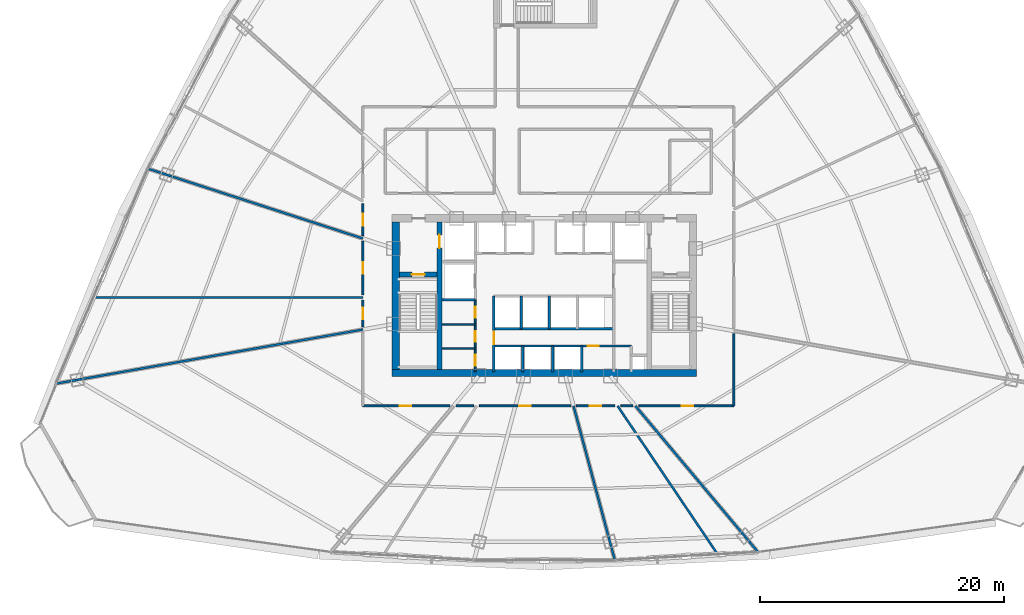
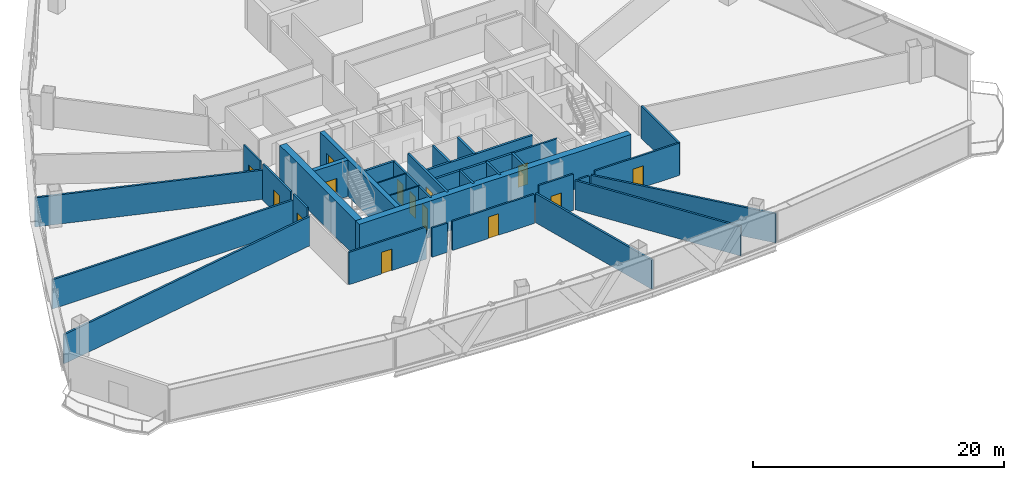
# One storey, part 29 of 36: 33 walls, 14 doors, 14 openings.
"""IFC4 building model written with IfcOpenShell, lengths in metres."""

from ifc_helpers import new_model, si_unit, direction, frame, frame_2d, origin, origin_with_axes, place, context, subcontext, project, spatial, rectangle, extrude, source, transform, mapped, material, layer, layer_set, type_object, element, fill, save


model = new_model("IFC4")

# Units and contexts
model_context = context("Model", 3, precision=1e-05, world=origin(), true_north=direction((0.0, 1.0)))
body_context = subcontext(model_context, "Body", "Model", "MODEL_VIEW")
ifc_project = project(units=[si_unit("LENGTHUNIT", "METRE"), si_unit("AREAUNIT", "SQUARE_METRE"), si_unit("VOLUMEUNIT", "CUBIC_METRE"), si_unit("PLANEANGLEUNIT", "RADIAN"), si_unit("MASSUNIT", "GRAM", prefix="KILO"), si_unit("THERMODYNAMICTEMPERATUREUNIT", "KELVIN"), si_unit("POWERUNIT", "WATT")], contexts=[model_context])

# Site, building, storey
site_placement = place(None, origin())
site = spatial("IfcSite", under=ifc_project, at=site_placement, CompositionType="ELEMENT")
building_placement = place(site_placement, origin())
building = spatial("IfcBuilding", under=site, at=building_placement, Name="Yunzhuo Pagoda Commons", CompositionType="ELEMENT")
storey_placement = place(building_placement, frame((0.0, 0.0, 103.97998046875)))
storey = spatial("IfcBuildingStorey", under=building, at=storey_placement, Name="L26", CompositionType="ELEMENT", Elevation=103.97998046875)

# Walls
ifc_material_1 = material(Name="Concrete C60", Category="concrete")
ifc_layer_1 = layer(ifc_material_1, 0.60009765625)
ifc_layer_set_1 = layer_set([ifc_layer_1], Name="Concrete C60")
wall_type_1 = type_object("IfcWallType", Name="W-C02 Mid Core Shear Wall 600", PredefinedType="SHEAR", material=ifc_layer_set_1)
wall_1_placement = place(storey_placement, frame((35.5, 27.5, 0.0), z_axis=(0.0, 0.0, 1.0), x_axis=(1.0, 0.0, 0.0)))
element("IfcWall", 1, at=wall_1_placement, inside=storey, type_object=wall_type_1, Name="L26 core shear wall S", PredefinedType="SHEAR", context=body_context, shape_type="SweptSolid", body=[
    extrude(rectangle(XDim=25.0, YDim=0.60009765625, at=frame_2d((12.5, 0.0))), origin(), (0.0, 0.0, 1.0), 3.5400390625),
])
wall_2_placement = place(storey_placement, frame((35.800048828125, 27.800048828125, 0.0), z_axis=(0.0, 0.0, 1.0), x_axis=(0.0, 1.0, 0.0)))
element("IfcWall", 2, at=wall_2_placement, inside=storey, type_object=wall_type_1, Name="L26 core shear wall W", PredefinedType="SHEAR", context=body_context, shape_type="SweptSolid", body=[
    extrude(rectangle(XDim=12.099853515625, YDim=0.60009765625, at=frame_2d((6.0498046875, 0.0))), origin(), (0.0, 0.0, 1.0), 3.5400390625),
])

# Wall, openings, doors
ifc_material_2 = material(Name="Gypsum plasterboard on acoustic stud")
ifc_layer_2 = layer(ifc_material_2, 0.159912109375)
ifc_layer_set_2 = layer_set([ifc_layer_2], Name="Gypsum plasterboard on acoustic stud")
wall_type_2 = type_object("IfcWallType", Name="W-COR1 Tower Rated Corridor Wall 160", PredefinedType="PARTITIONING", material=ifc_layer_set_2)
wall_3_placement = place(storey_placement, frame((42.320068359375, 27.60009765625, 0.0), z_axis=(0.0, 0.0, 1.0), x_axis=(0.0, 1.0, 0.0)))
wall_3 = element("IfcWall", 3, at=wall_3_placement, inside=storey, type_object=wall_type_2, Name="L26 interior wall IW-L26-CSWE", PredefinedType="PARTITIONING", context=body_context, shape_type="SweptSolid", body=[
    extrude(rectangle(XDim=5.89990234375, YDim=0.159912109375, at=frame_2d((2.949951171875, 0.0))), origin(), (0.0, 0.0, 1.0), 3.5400390625),
])
opening_1_placement = place(wall_3_placement, frame((0.5, 0.0, 0.0)))
opening_1 = element("IfcOpeningElement", 4, at=opening_1_placement, cuts=wall_3, Name="Opening D-03", PredefinedType="OPENING", context=body_context, shape_type="SweptSolid", body=[
    extrude(rectangle(XDim=0.89990234375, YDim=2.10009765625, at=frame_2d((0.449951171875, 1.050048828125))), frame((0.0, 0.08984375, 0.0), z_axis=(0.0, -1.0, 0.0), x_axis=(1.0, 0.0, 0.0)), (0.0, 0.0, 1.0), 0.179931640625),
])
opening_2_placement = place(wall_3_placement, frame((2.449951171875, 0.0, 0.0)))
opening_2 = element("IfcOpeningElement", 5, at=opening_2_placement, cuts=wall_3, Name="Opening D-03", PredefinedType="OPENING", context=body_context, shape_type="SweptSolid", body=[
    extrude(rectangle(XDim=0.89990234375, YDim=2.10009765625, at=frame_2d((0.449951171875, 1.050048828125))), frame((0.0, 0.08984375, 0.0), z_axis=(0.0, -1.0, 0.0), x_axis=(1.0, 0.0, 0.0)), (0.0, 0.0, 1.0), 0.179931640625),
])
opening_3_placement = place(wall_3_placement, frame((4.419921875, 0.0, 0.0)))
opening_3 = element("IfcOpeningElement", 6, at=opening_3_placement, cuts=wall_3, Name="Opening D-11", PredefinedType="OPENING", context=body_context, shape_type="SweptSolid", body=[
    extrude(rectangle(XDim=0.93994140625, YDim=2.10009765625, at=frame_2d((0.469970703125, 1.050048828125))), frame((0.0, 0.08984375, 0.0), z_axis=(0.0, -1.0, 0.0), x_axis=(1.0, 0.0, 0.0)), (0.0, 0.0, 1.0), 0.179931640625),
])
ifc_material_3 = material(Name="Galvanized fire-resisting metal leaf")
door_type_1 = type_object("IfcDoorType", Name="D-03 Core Service Fire Door 900x2100", OperationType="NOTDEFINED", PredefinedType="DOOR", material=ifc_material_3)
shared_shape_1 = source(origin(), body_context, "Body", "SweptSolid", [
    extrude(rectangle(XDim=0.89990234375, YDim=2.10009765625, at=frame_2d((0.449951171875, 1.050048828125))), frame((0.0, 0.02490234375, 0.0), z_axis=(0.0, -1.0, 0.0), x_axis=(1.0, 0.0, 0.0)), (0.0, 0.0, 1.0), 0.050048828125),
])
door_1_placement = place(opening_1_placement, origin_with_axes())
door_1 = element("IfcDoor", 7, at=door_1_placement, inside=storey, type_object=door_type_1, Name="L26 switch door", OperationType="SINGLE_SWING_RIGHT", OverallHeight=2.10009765625, OverallWidth=0.89990234375, PredefinedType="DOOR", context=body_context, shape_type="MappedRepresentation", body=[
    mapped(shared_shape_1, transform((0.0, 0.0, 0.0), scale=1.0)),
])
fill(opening_1, door_1)
door_2_placement = place(opening_2_placement, origin_with_axes())
door_2 = element("IfcDoor", 8, at=door_2_placement, inside=storey, type_object=door_type_1, Name="L26 cleaner door", OperationType="SINGLE_SWING_RIGHT", OverallHeight=2.10009765625, OverallWidth=0.89990234375, PredefinedType="DOOR", context=body_context, shape_type="MappedRepresentation", body=[
    mapped(shared_shape_1, transform((0.0, 0.0, 0.0), scale=1.0)),
])
fill(opening_2, door_2)
door_type_2 = type_object("IfcDoorType", Name="D-11 Accessible Washroom Fire Door 940x2100", OperationType="NOTDEFINED", PredefinedType="DOOR", material=ifc_material_3)
shared_shape_2 = source(origin(), body_context, "Body", "SweptSolid", [
    extrude(rectangle(XDim=0.93994140625, YDim=2.10009765625, at=frame_2d((0.469970703125, 1.050048828125))), frame((0.0, 0.02490234375, 0.0), z_axis=(0.0, -1.0, 0.0), x_axis=(1.0, 0.0, 0.0)), (0.0, 0.0, 1.0), 0.050048828125),
])
door_3_placement = place(opening_3_placement, origin_with_axes())
door_3 = element("IfcDoor", 9, at=door_3_placement, inside=storey, type_object=door_type_2, Name="L26 core WC door", OperationType="SINGLE_SWING_LEFT", OverallHeight=2.10009765625, OverallWidth=0.93994140625, PredefinedType="DOOR", context=body_context, shape_type="MappedRepresentation", body=[
    mapped(shared_shape_2, transform((0.0, 0.0, 0.0), scale=1.0)),
])
fill(opening_3, door_3)

# Wall, opening, door
wall_4_placement = place(storey_placement, frame((51.050048828125, 29.719970703125, 0.0), z_axis=(0.0, 0.0, 1.0), x_axis=(1.0, 0.0, 0.0)))
wall_4 = element("IfcWall", 10, at=wall_4_placement, inside=storey, type_object=wall_type_2, Name="L26 interior wall IW-L26-CSES", PredefinedType="PARTITIONING", context=body_context, shape_type="SweptSolid", body=[
    extrude(rectangle(XDim=4.070068359375, YDim=0.159912109375, at=frame_2d((2.03515625, 0.0))), origin(), (0.0, 0.0, 1.0), 3.5400390625),
])
opening_4_placement = place(wall_4_placement, frame((0.5, 0.0, 0.0)))
opening_4 = element("IfcOpeningElement", 11, at=opening_4_placement, cuts=wall_4, Name="Opening D-03", PredefinedType="OPENING", context=body_context, shape_type="SweptSolid", body=[
    extrude(rectangle(XDim=0.89990234375, YDim=2.10009765625, at=frame_2d((0.449951171875, 1.050048828125))), frame((0.0, 0.08984375, 0.0), z_axis=(0.0, -1.0, 0.0), x_axis=(1.0, 0.0, 0.0)), (0.0, 0.0, 1.0), 0.179931640625),
])
door_4_placement = place(opening_4_placement, origin_with_axes())
door_4 = element("IfcDoor", 12, at=door_4_placement, inside=storey, type_object=door_type_1, Name="L26 core pantry door", OperationType="SINGLE_SWING_RIGHT", OverallHeight=2.10009765625, OverallWidth=0.89990234375, PredefinedType="DOOR", context=body_context, shape_type="MappedRepresentation", body=[
    mapped(shared_shape_1, transform((0.0, 0.0, 0.0), scale=1.0)),
])
fill(opening_4, door_4)

wall_5_placement = place(storey_placement, frame((33.10009765625, 31.29248046875, 0.0), z_axis=(0.0, 0.0, 1.0), x_axis=(0.0, 1.0, 0.0)))
wall_5 = element("IfcWall", 13, at=wall_5_placement, inside=storey, type_object=wall_type_2, Name="L26 interior wall IW-L26-CWL02", PredefinedType="PARTITIONING", context=body_context, shape_type="SweptSolid", body=[
    extrude(rectangle(XDim=2.1875, YDim=0.159912109375, at=frame_2d((1.09375, 0.0))), origin(), (0.0, 0.0, 1.0), 3.5400390625),
])
opening_5_placement = place(wall_5_placement, frame((0.618896484375, 0.0, 0.0)))
opening_5 = element("IfcOpeningElement", 14, at=opening_5_placement, cuts=wall_5, Name="Opening D-06", PredefinedType="OPENING", context=body_context, shape_type="SweptSolid", body=[
    extrude(rectangle(XDim=0.949951171875, YDim=2.10009765625, at=frame_2d((0.47509765625, 1.050048828125))), frame((0.0, 0.08984375, 0.0), z_axis=(0.0, -1.0, 0.0), x_axis=(1.0, 0.0, 0.0)), (0.0, 0.0, 1.0), 0.179931640625),
])
door_type_3 = type_object("IfcDoorType", Name="D-06 Co-Living Suite Entrance Fire Door 950x2100", OperationType="NOTDEFINED", PredefinedType="DOOR", material=ifc_material_3)
shared_shape_3 = source(origin(), body_context, "Body", "SweptSolid", [
    extrude(rectangle(XDim=0.949951171875, YDim=2.10009765625, at=frame_2d((0.47509765625, 1.050048828125))), frame((0.0, 0.02490234375, 0.0), z_axis=(0.0, -1.0, 0.0), x_axis=(1.0, 0.0, 0.0)), (0.0, 0.0, 1.0), 0.050048828125),
])
door_5_placement = place(opening_5_placement, origin_with_axes())
door_5 = element("IfcDoor", 15, at=door_5_placement, inside=storey, type_object=door_type_3, Name="L26 unit 08 entrance door", OperationType="SINGLE_SWING_RIGHT", OverallHeight=2.10009765625, OverallWidth=0.949951171875, PredefinedType="DOOR", context=body_context, shape_type="MappedRepresentation", body=[
    mapped(shared_shape_3, transform((0.0, 0.0, 0.0), scale=1.0)),
])
fill(opening_5, door_5)

wall_6_placement = place(storey_placement, frame((33.10009765625, 33.919921875, 0.0), z_axis=(0.0, 0.0, 1.0), x_axis=(0.0, 1.0, 0.0)))
wall_6 = element("IfcWall", 16, at=wall_6_placement, inside=storey, type_object=wall_type_2, Name="L26 interior wall IW-L26-CWL03", PredefinedType="PARTITIONING", context=body_context, shape_type="SweptSolid", body=[
    extrude(rectangle(XDim=4.401611328125, YDim=0.159912109375, at=frame_2d((2.20068359375, 0.0))), origin(), (0.0, 0.0, 1.0), 3.5400390625),
])
opening_6_placement = place(wall_6_placement, frame((1.7255859375, 0.0, 0.0)))
opening_6 = element("IfcOpeningElement", 17, at=opening_6_placement, cuts=wall_6, Name="Opening D-06", PredefinedType="OPENING", context=body_context, shape_type="SweptSolid", body=[
    extrude(rectangle(XDim=0.949951171875, YDim=2.10009765625, at=frame_2d((0.47509765625, 1.050048828125))), frame((0.0, 0.08984375, 0.0), z_axis=(0.0, -1.0, 0.0), x_axis=(1.0, 0.0, 0.0)), (0.0, 0.0, 1.0), 0.179931640625),
])
door_6_placement = place(opening_6_placement, origin_with_axes())
door_6 = element("IfcDoor", 18, at=door_6_placement, inside=storey, type_object=door_type_3, Name="L26 unit 07 entrance door", OperationType="SINGLE_SWING_LEFT", OverallHeight=2.10009765625, OverallWidth=0.949951171875, PredefinedType="DOOR", context=body_context, shape_type="MappedRepresentation", body=[
    mapped(shared_shape_3, transform((0.0, 0.0, 0.0), scale=1.0)),
])
fill(opening_6, door_6)

wall_7_placement = place(storey_placement, frame((33.10009765625, 38.772705078125, 0.0), z_axis=(0.0, 0.0, 1.0), x_axis=(0.0, 1.0, 0.0)))
wall_7 = element("IfcWall", 19, at=wall_7_placement, inside=storey, type_object=wall_type_2, Name="L26 interior wall IW-L26-CWL04", PredefinedType="PARTITIONING", context=body_context, shape_type="SweptSolid", body=[
    extrude(rectangle(XDim=2.6298828125, YDim=0.159912109375, at=frame_2d((1.31494140625, 0.0))), origin(), (0.0, 0.0, 1.0), 3.5400390625),
])
opening_7_placement = place(wall_7_placement, frame((0.834228515625, 0.0, 0.0)))
opening_7 = element("IfcOpeningElement", 20, at=opening_7_placement, cuts=wall_7, Name="Opening D-06", PredefinedType="OPENING", context=body_context, shape_type="SweptSolid", body=[
    extrude(rectangle(XDim=0.949951171875, YDim=2.10009765625, at=frame_2d((0.47509765625, 1.050048828125))), frame((0.0, 0.08984375, 0.0), z_axis=(0.0, -1.0, 0.0), x_axis=(1.0, 0.0, 0.0)), (0.0, 0.0, 1.0), 0.179931640625),
])
door_7_placement = place(opening_7_placement, origin_with_axes())
door_7 = element("IfcDoor", 21, at=door_7_placement, inside=storey, type_object=door_type_3, Name="L26 unit 06 entrance door", OperationType="SINGLE_SWING_RIGHT", OverallHeight=2.10009765625, OverallWidth=0.949951171875, PredefinedType="DOOR", context=body_context, shape_type="MappedRepresentation", body=[
    mapped(shared_shape_3, transform((0.0, 0.0, 0.0), scale=1.0)),
])
fill(opening_7, door_7)

# Wall
wall_8_placement = place(storey_placement, frame((63.550048828125, 30.734619140625, 0.0), z_axis=(0.0, 0.0, 1.0), x_axis=(0.0, -1.0, 0.0)))
element("IfcWall", 22, at=wall_8_placement, inside=storey, type_object=wall_type_2, Name="L26 interior wall IW-L26-CWL15", PredefinedType="PARTITIONING", context=body_context, shape_type="SweptSolid", body=[
    extrude(rectangle(XDim=5.9345703125, YDim=0.159912109375, at=frame_2d((2.96728515625, 0.0))), origin(), (0.0, 0.0, 1.0), 3.14013671875),
])

# Wall, opening, door
wall_9_placement = place(storey_placement, frame((63.550048828125, 24.800048828125, 0.0), z_axis=(0.0, 0.0, 1.0), x_axis=(-1.0, 0.0, 0.0)))
wall_9 = element("IfcWall", 23, at=wall_9_placement, inside=storey, type_object=wall_type_2, Name="L26 interior wall IW-L26-CWL16", PredefinedType="PARTITIONING", context=body_context, shape_type="SweptSolid", body=[
    extrude(rectangle(XDim=7.794921875, YDim=0.159912109375, at=frame_2d((3.8974609375, 0.0))), origin(), (0.0, 0.0, 1.0), 3.14013671875),
])
opening_8_placement = place(wall_9_placement, frame((3.3359375, 0.0, 0.0)))
opening_8 = element("IfcOpeningElement", 24, at=opening_8_placement, cuts=wall_9, Name="Opening D-06", PredefinedType="OPENING", context=body_context, shape_type="SweptSolid", body=[
    extrude(rectangle(XDim=0.949951171875, YDim=2.10009765625, at=frame_2d((0.47509765625, 1.050048828125))), frame((0.0, 0.08984375, 0.0), z_axis=(0.0, -1.0, 0.0), x_axis=(1.0, 0.0, 0.0)), (0.0, 0.0, 1.0), 0.179931640625),
])
door_8_placement = place(opening_8_placement, origin_with_axes())
door_8 = element("IfcDoor", 25, at=door_8_placement, inside=storey, type_object=door_type_3, Name="L26 unit 14 entrance door", OperationType="SINGLE_SWING_RIGHT", OverallHeight=2.10009765625, OverallWidth=0.949951171875, PredefinedType="DOOR", context=body_context, shape_type="MappedRepresentation", body=[
    mapped(shared_shape_3, transform((0.0, 0.0, 0.0), scale=1.0)),
])
fill(opening_8, door_8)

# Wall
wall_10_placement = place(storey_placement, frame((55.248046875, 24.800048828125, 0.0), z_axis=(0.0, 0.0, 1.0), x_axis=(-1.0, 0.0, 0.0)))
element("IfcWall", 26, at=wall_10_placement, inside=storey, type_object=wall_type_2, Name="L26 interior wall IW-L26-CWL17", PredefinedType="PARTITIONING", context=body_context, shape_type="SweptSolid", body=[
    extrude(rectangle(XDim=0.9794921875, YDim=0.159912109375, at=frame_2d((0.48974609375, 0.0))), origin(), (0.0, 0.0, 1.0), 2.840087890625),
])

# Wall, opening, door
wall_11_placement = place(storey_placement, frame((53.783203125, 24.800048828125, 0.0), z_axis=(0.0, 0.0, 1.0), x_axis=(-1.0, 0.0, 0.0)))
wall_11 = element("IfcWall", 27, at=wall_11_placement, inside=storey, type_object=wall_type_2, Name="L26 interior wall IW-L26-CWL18", PredefinedType="PARTITIONING", context=body_context, shape_type="SweptSolid", body=[
    extrude(rectangle(XDim=3.170654296875, YDim=0.159912109375, at=frame_2d((1.58544921875, 0.0))), origin(), (0.0, 0.0, 1.0), 3.5400390625),
])
opening_9_placement = place(wall_11_placement, frame((1.1142578125, 0.0, 0.0)))
opening_9 = element("IfcOpeningElement", 28, at=opening_9_placement, cuts=wall_11, Name="Opening D-06", PredefinedType="OPENING", context=body_context, shape_type="SweptSolid", body=[
    extrude(rectangle(XDim=0.949951171875, YDim=2.10009765625, at=frame_2d((0.47509765625, 1.050048828125))), frame((0.0, 0.08984375, 0.0), z_axis=(0.0, -1.0, 0.0), x_axis=(1.0, 0.0, 0.0)), (0.0, 0.0, 1.0), 0.179931640625),
])
door_9_placement = place(opening_9_placement, origin_with_axes())
door_9 = element("IfcDoor", 29, at=door_9_placement, inside=storey, type_object=door_type_3, Name="L26 unit 12 entrance door", OperationType="SINGLE_SWING_RIGHT", OverallHeight=2.10009765625, OverallWidth=0.949951171875, PredefinedType="DOOR", context=body_context, shape_type="MappedRepresentation", body=[
    mapped(shared_shape_3, transform((0.0, 0.0, 0.0), scale=1.0)),
])
fill(opening_9, door_9)

wall_12_placement = place(storey_placement, frame((50.164794921875, 24.800048828125, 0.0), z_axis=(0.0, 0.0, 1.0), x_axis=(-1.0, 0.0, 0.0)))
wall_12 = element("IfcWall", 30, at=wall_12_placement, inside=storey, type_object=wall_type_2, Name="L26 interior wall IW-L26-CWL19", PredefinedType="PARTITIONING", context=body_context, shape_type="SweptSolid", body=[
    extrude(rectangle(XDim=7.50634765625, YDim=0.159912109375, at=frame_2d((3.753173828125, 0.0))), origin(), (0.0, 0.0, 1.0), 2.840087890625),
])
opening_10_placement = place(wall_12_placement, frame((3.2783203125, 0.0, 0.0)))
opening_10 = element("IfcOpeningElement", 31, at=opening_10_placement, cuts=wall_12, Name="Opening D-06", PredefinedType="OPENING", context=body_context, shape_type="SweptSolid", body=[
    extrude(rectangle(XDim=0.949951171875, YDim=2.10009765625, at=frame_2d((0.47509765625, 1.050048828125))), frame((0.0, 0.08984375, 0.0), z_axis=(0.0, -1.0, 0.0), x_axis=(1.0, 0.0, 0.0)), (0.0, 0.0, 1.0), 0.179931640625),
])
door_10_placement = place(opening_10_placement, origin_with_axes())
door_10 = element("IfcDoor", 32, at=door_10_placement, inside=storey, type_object=door_type_3, Name="L26 Academic Reading Commons 2 door", OperationType="SINGLE_SWING_LEFT", OverallHeight=2.10009765625, OverallWidth=0.949951171875, PredefinedType="DOOR", context=body_context, shape_type="MappedRepresentation", body=[
    mapped(shared_shape_3, transform((0.0, 0.0, 0.0), scale=1.0)),
])
fill(opening_10, door_10)

# Wall
wall_13_placement = place(storey_placement, frame((42.17919921875, 24.800048828125, 0.0), z_axis=(0.0, 0.0, 1.0), x_axis=(-1.0, 0.0, 0.0)))
element("IfcWall", 33, at=wall_13_placement, inside=storey, type_object=wall_type_2, Name="L26 interior wall IW-L26-CWL20", PredefinedType="PARTITIONING", context=body_context, shape_type="SweptSolid", body=[
    extrude(rectangle(XDim=1.42724609375, YDim=0.159912109375, at=frame_2d((0.713623046875, 0.0))), origin(), (0.0, 0.0, 1.0), 2.840087890625),
])

# Wall, opening, door
wall_14_placement = place(storey_placement, frame((40.244873046875, 24.800048828125, 0.0), z_axis=(0.0, 0.0, 1.0), x_axis=(-1.0, 0.0, 0.0)))
wall_14 = element("IfcWall", 34, at=wall_14_placement, inside=storey, type_object=wall_type_2, Name="L26 interior wall IW-L26-CWL21", PredefinedType="PARTITIONING", context=body_context, shape_type="SweptSolid", body=[
    extrude(rectangle(XDim=7.144775390625, YDim=0.159912109375, at=frame_2d((3.572265625, 0.0))), origin(), (0.0, 0.0, 1.0), 3.14013671875),
])
opening_11_placement = place(wall_14_placement, frame((3.183837890625, 0.0, 0.0)))
opening_11 = element("IfcOpeningElement", 35, at=opening_11_placement, cuts=wall_14, Name="Opening D-06", PredefinedType="OPENING", context=body_context, shape_type="SweptSolid", body=[
    extrude(rectangle(XDim=0.949951171875, YDim=2.10009765625, at=frame_2d((0.47509765625, 1.050048828125))), frame((0.0, 0.08984375, 0.0), z_axis=(0.0, -1.0, 0.0), x_axis=(1.0, 0.0, 0.0)), (0.0, 0.0, 1.0), 0.179931640625),
])
door_11_placement = place(opening_11_placement, origin_with_axes())
door_11 = element("IfcDoor", 36, at=door_11_placement, inside=storey, type_object=door_type_3, Name="L26 unit 09 entrance door", OperationType="SINGLE_SWING_LEFT", OverallHeight=2.10009765625, OverallWidth=0.949951171875, PredefinedType="DOOR", context=body_context, shape_type="MappedRepresentation", body=[
    mapped(shared_shape_3, transform((0.0, 0.0, 0.0), scale=1.0)),
])
fill(opening_11, door_11)

# Walls
ifc_layer_3 = layer(ifc_material_2, 0.1201171875)
ifc_layer_set_3 = layer_set([ifc_layer_3], Name="Gypsum plasterboard on acoustic stud")
wall_type_3 = type_object("IfcWallType", Name="W-PRT1 Suite & Bathroom Partition 120", PredefinedType="PARTITIONING", material=ifc_layer_set_3)
for number, where, z_axis, x_axis, name in (
    (37, (39.60009765625, 29.5, 0.0), (0.0, 0.0, 1.0), (1.0, 0.0, 0.0), "L26 interior wall IW-L26-CC1"),
    (38, (39.60009765625, 31.5, 0.0), (0.0, 0.0, 1.0), (1.0, 0.0, 0.0), "L26 interior wall IW-L26-CC2"),
):
    element("IfcWall", number, at=place(storey_placement, frame(where, z_axis=z_axis, x_axis=x_axis)), inside=storey, type_object=wall_type_3, Name=name, PredefinedType="PARTITIONING", context=body_context, shape_type="SweptSolid", body=[
        extrude(rectangle(XDim=2.719970703125, YDim=0.1201171875, at=frame_2d((1.35986328125, 0.0))), origin(), (0.0, 0.0, 1.0), 3.5400390625),
    ])
ifc_layer_4 = layer(ifc_material_2, 0.179931640625)
ifc_layer_set_4 = layer_set([ifc_layer_4], Name="Gypsum plasterboard on acoustic stud")
wall_type_4 = type_object("IfcWallType", Name="W-PRT2 Acoustic Unit Demising Wall 180", PredefinedType="PARTITIONING", material=ifc_layer_set_4)
wall_15_placement = place(storey_placement, frame((33.10009765625, 38.541259765625, 0.0), z_axis=(0.0, 0.0, 1.0), x_axis=(-0.951054685131, 0.309022630063, 0.0)))
element("IfcWall", 39, at=wall_15_placement, inside=storey, type_object=wall_type_4, Name="L26 interior wall IW-L26-RAD06", PredefinedType="PARTITIONING", context=body_context, shape_type="SweptSolid", body=[
    extrude(rectangle(XDim=18.534423828125, YDim=0.179931640625, at=frame_2d((9.26708984375, 0.0))), origin(), (0.0, 0.0, 1.0), 2.840087890625),
])
wall_16_placement = place(storey_placement, frame((33.10009765625, 33.699951171875, 0.0), z_axis=(0.0, 0.0, 1.0), x_axis=(-1.0, 0.0, 0.0)))
element("IfcWall", 40, at=wall_16_placement, inside=storey, type_object=wall_type_4, Name="L26 interior wall IW-L26-RAD07", PredefinedType="PARTITIONING", context=body_context, shape_type="SweptSolid", body=[
    extrude(rectangle(XDim=22.14501953125, YDim=0.179931640625, at=frame_2d((11.072509765625, 0.0))), origin(), (0.0, 0.0, 1.0), 2.840087890625),
])
wall_17_placement = place(storey_placement, frame((33.10009765625, 31.07275390625, 0.0), z_axis=(0.0, 0.0, 1.0), x_axis=(-0.984807595402, -0.173649071515, 0.0)))
element("IfcWall", 41, at=wall_17_placement, inside=storey, type_object=wall_type_4, Name="L26 interior wall IW-L26-RAD08", PredefinedType="PARTITIONING", context=body_context, shape_type="SweptSolid", body=[
    extrude(rectangle(XDim=25.552978515625, YDim=0.179931640625, at=frame_2d((12.7763671875, 0.0))), origin(), (0.0, 0.0, 1.0), 2.840087890625),
])
wall_18_placement = place(storey_placement, frame((50.384765625, 24.800048828125, 0.0), z_axis=(0.0, 0.0, 1.0), x_axis=(0.258820732199, -0.965925374231, 0.0)))
element("IfcWall", 42, at=wall_18_placement, inside=storey, type_object=wall_type_4, Name="L26 interior wall IW-L26-RAD11", PredefinedType="PARTITIONING", context=body_context, shape_type="SweptSolid", body=[
    extrude(rectangle(XDim=13.119140625, YDim=0.179931640625, at=frame_2d((6.5595703125, 0.0))), origin(), (0.0, 0.0, 1.0), 2.840087890625),
])
wall_19_placement = place(storey_placement, frame((54.003173828125, 24.800048828125, 0.0), z_axis=(0.0, 0.0, 1.0), x_axis=(0.559194755778, -0.829036323155, 0.0)))
element("IfcWall", 43, at=wall_19_placement, inside=storey, type_object=wall_type_4, Name="L26 interior wall IW-L26-RAD12", PredefinedType="PARTITIONING", context=body_context, shape_type="SweptSolid", body=[
    extrude(rectangle(XDim=14.702392578125, YDim=0.179931640625, at=frame_2d((7.35107421875, 0.0))), origin(), (0.0, 0.0, 1.0), 2.840087890625),
])
wall_20_placement = place(storey_placement, frame((55.468017578125, 24.800048828125, 0.0), z_axis=(0.0, 0.0, 1.0), x_axis=(0.642779306778, -0.76605141001, 0.0)))
element("IfcWall", 44, at=wall_20_placement, inside=storey, type_object=wall_type_4, Name="L26 interior wall IW-L26-RAD13", PredefinedType="PARTITIONING", context=body_context, shape_type="SweptSolid", body=[
    extrude(rectangle(XDim=15.663818359375, YDim=0.179931640625, at=frame_2d((7.83203125, 0.0))), origin(), (0.0, 0.0, 1.0), 2.840087890625),
])

# Wall, opening, door
ifc_layer_5 = layer(ifc_material_1, 0.39990234375)
ifc_layer_set_5 = layer_set([ifc_layer_5], Name="Concrete C60")
wall_type_5 = type_object("IfcWallType", Name="W-S01 Internal Core Shear Web 400", PredefinedType="SHEAR", material=ifc_layer_set_5)
wall_21_placement = place(storey_placement, frame((39.39990234375, 27.800048828125, 0.0), z_axis=(0.0, 0.0, 1.0), x_axis=(0.0, 1.0, 0.0)))
wall_21 = element("IfcWall", 45, at=wall_21_placement, inside=storey, type_object=wall_type_5, Name="L26 core shear wall WEBW", PredefinedType="SHEAR", context=body_context, shape_type="SweptSolid", body=[
    extrude(rectangle(XDim=12.099853515625, YDim=0.39990234375, at=frame_2d((6.0498046875, 0.0))), origin(), (0.0, 0.0, 1.0), 3.5400390625),
])
opening_12_placement = place(wall_21_placement, frame((9.949951171875, 0.0, 0.0)))
opening_12 = element("IfcOpeningElement", 46, at=opening_12_placement, cuts=wall_21, Name="Opening LD-01", PredefinedType="OPENING", context=body_context, shape_type="SweptSolid", body=[
    extrude(rectangle(XDim=1.10009765625, YDim=2.10009765625, at=frame_2d((0.550048828125, 1.050048828125))), frame((0.0, 0.2099609375, 0.0), z_axis=(0.0, -1.0, 0.0), x_axis=(1.0, 0.0, 0.0)), (0.0, 0.0, 1.0), 0.419921875),
])
door_type_4 = type_object("IfcDoorType", Name="LD-01 Firefighting Lift Landing Door 1100x2100", OperationType="DOUBLE_DOOR_SLIDING", PredefinedType="DOOR", material=ifc_material_3)
shared_shape_4 = source(origin(), body_context, "Body", "SweptSolid", [
    extrude(rectangle(XDim=1.10009765625, YDim=2.10009765625, at=frame_2d((0.550048828125, 1.050048828125))), frame((0.0, 0.02490234375, 0.0), z_axis=(0.0, -1.0, 0.0), x_axis=(1.0, 0.0, 0.0)), (0.0, 0.0, 1.0), 0.050048828125),
])
door_12_placement = place(opening_12_placement, frame((1.10009765625, 0.0, 0.0), z_axis=(0.0, 0.0, 1.0), x_axis=(-1.0, 0.0, 0.0)))
door_12 = element("IfcDoor", 47, at=door_12_placement, inside=storey, type_object=door_type_4, Name="L26 Firefighting lift FL-1 landing door", OperationType="DOUBLE_DOOR_SLIDING", OverallHeight=2.10009765625, OverallWidth=1.10009765625, PredefinedType="DOOR", context=body_context, shape_type="MappedRepresentation", body=[
    mapped(shared_shape_4, transform((0.0, 0.0, 0.0), scale=1.0)),
])
fill(opening_12, door_12)

wall_22_placement = place(storey_placement, frame((36.10009765625, 35.60009765625, 0.0), z_axis=(0.0, 0.0, 1.0), x_axis=(1.0, 0.0, 0.0)))
wall_22 = element("IfcWall", 48, at=wall_22_placement, inside=storey, type_object=wall_type_5, Name="L26 core shear wall STW", PredefinedType="SHEAR", context=body_context, shape_type="SweptSolid", body=[
    extrude(rectangle(XDim=3.099853515625, YDim=0.39990234375, at=frame_2d((1.5498046875, 0.0))), origin(), (0.0, 0.0, 1.0), 3.5400390625),
])
opening_13_placement = place(wall_22_placement, frame((1.02001953125, 0.0, 0.0)))
opening_13 = element("IfcOpeningElement", 49, at=opening_13_placement, cuts=wall_22, Name="Opening D-01", PredefinedType="OPENING", context=body_context, shape_type="SweptSolid", body=[
    extrude(rectangle(XDim=1.050048828125, YDim=2.10009765625, at=frame_2d((0.52490234375, 1.050048828125))), frame((0.0, 0.2099609375, 0.0), z_axis=(0.0, -1.0, 0.0), x_axis=(1.0, 0.0, 0.0)), (0.0, 0.0, 1.0), 0.419921875),
])
door_type_5 = type_object("IfcDoorType", Name="D-01 Smokeproof Stair Fire Door 1050x2100", OperationType="NOTDEFINED", PredefinedType="DOOR", material=ifc_material_3)
shared_shape_5 = source(origin(), body_context, "Body", "SweptSolid", [
    extrude(rectangle(XDim=1.050048828125, YDim=2.10009765625, at=frame_2d((0.52490234375, 1.050048828125))), frame((0.0, 0.02490234375, 0.0), z_axis=(0.0, -1.0, 0.0), x_axis=(1.0, 0.0, 0.0)), (0.0, 0.0, 1.0), 0.050048828125),
])
door_13_placement = place(opening_13_placement, frame((1.050048828125, 0.0, 0.0), z_axis=(0.0, 0.0, 1.0), x_axis=(-1.0, 0.0, 0.0)))
door_13 = element("IfcDoor", 50, at=door_13_placement, inside=storey, type_object=door_type_5, Name="L26 Stair ST1 fire door", OperationType="SINGLE_SWING_LEFT", OverallHeight=2.10009765625, OverallWidth=1.050048828125, PredefinedType="DOOR", context=body_context, shape_type="MappedRepresentation", body=[
    mapped(shared_shape_5, transform((0.0, 0.0, 0.0), scale=1.0)),
])
fill(opening_13, door_13)

# Wall
ifc_material_4 = material(Name="Concrete C40", Category="concrete")
ifc_layer_6 = layer(ifc_material_4, 0.199951171875)
ifc_layer_set_6 = layer_set([ifc_layer_6], Name="Concrete C40")
wall_type_6 = type_object("IfcWallType", Name="W-SHF Shaft & Stair Enclosure Wall 200", PredefinedType="SOLIDWALL", material=ifc_layer_set_6)
wall_23_placement = place(storey_placement, frame((39.60009765625, 33.5, 0.0), z_axis=(0.0, 0.0, 1.0), x_axis=(1.0, 0.0, 0.0)))
element("IfcWall", 51, at=wall_23_placement, inside=storey, type_object=wall_type_6, Name="L26 interior wall IW-L26-SL1S", PredefinedType="SOLIDWALL", context=body_context, shape_type="SweptSolid", body=[
    extrude(rectangle(XDim=2.719970703125, YDim=0.199951171875, at=frame_2d((1.35986328125, 0.0))), origin(), (0.0, 0.0, 1.0), 3.5400390625),
])

# Wall, opening, door
wall_24_placement = place(storey_placement, frame((43.85009765625, 27.60009765625, 0.0), z_axis=(0.0, 0.0, 1.0), x_axis=(0.0, 1.0, 0.0)))
wall_24 = element("IfcWall", 52, at=wall_24_placement, inside=storey, type_object=wall_type_6, Name="L26 interior wall IW-L26-PLMW", PredefinedType="SOLIDWALL", context=body_context, shape_type="SweptSolid", body=[
    extrude(rectangle(XDim=6.219970703125, YDim=0.199951171875, at=frame_2d((3.10986328125, 0.0))), origin(), (0.0, 0.0, 1.0), 3.5400390625),
])
opening_14_placement = place(wall_24_placement, frame((2.25, 0.0, 0.0)))
opening_14 = element("IfcOpeningElement", 53, at=opening_14_placement, cuts=wall_24, Name="Opening D-02", PredefinedType="OPENING", context=body_context, shape_type="SweptSolid", body=[
    extrude(rectangle(XDim=1.050048828125, YDim=2.10009765625, at=frame_2d((0.52490234375, 1.050048828125))), frame((0.0, 0.10986328125, 0.0), z_axis=(0.0, -1.0, 0.0), x_axis=(1.0, 0.0, 0.0)), (0.0, 0.0, 1.0), 0.219970703125),
])
door_type_6 = type_object("IfcDoorType", Name="D-02 Firefighting Lobby & Refuge Fire Door 1050x2100", OperationType="NOTDEFINED", PredefinedType="DOOR", material=ifc_material_3)
door_14_placement = place(opening_14_placement, frame((1.050048828125, 0.0, 0.0), z_axis=(0.0, 0.0, 1.0), x_axis=(-1.0, 0.0, 0.0)))
door_14 = element("IfcDoor", 54, at=door_14_placement, inside=storey, type_object=door_type_6, Name="L26 High-bank hall west door", OperationType="SINGLE_SWING_LEFT", OverallHeight=2.10009765625, OverallWidth=1.050048828125, PredefinedType="DOOR", context=body_context, shape_type="MappedRepresentation", body=[
    mapped(shared_shape_5, transform((0.0, 0.0, 0.0), scale=1.0)),
])
fill(opening_14, door_14)

# Walls
for number, where, z_axis, x_axis, name in (
    (55, (46.10009765625, 31.1201171875, 0.0), (0.0, 0.0, 1.0), (0.0, 1.0, 0.0), "L26 interior wall IW-L26-PLMD1"),
    (56, (48.39990234375, 31.1201171875, 0.0), (0.0, 0.0, 1.0), (0.0, 1.0, 0.0), "L26 interior wall IW-L26-PLMD2"),
):
    element("IfcWall", number, at=place(storey_placement, frame(where, z_axis=z_axis, x_axis=x_axis)), inside=storey, type_object=wall_type_6, Name=name, PredefinedType="SOLIDWALL", context=body_context, shape_type="SweptSolid", body=[
        extrude(rectangle(XDim=2.699951171875, YDim=0.199951171875, at=frame_2d((1.35009765625, 0.0))), origin(), (0.0, 0.0, 1.0), 3.5400390625),
    ])
wall_25_placement = place(storey_placement, frame((43.85009765625, 29.719970703125, 0.0), z_axis=(0.0, 0.0, 1.0), x_axis=(1.0, 0.0, 0.0)))
element("IfcWall", 57, at=wall_25_placement, inside=storey, type_object=wall_type_6, Name="L26 interior wall IW-L26-PLHN", PredefinedType="SOLIDWALL", context=body_context, shape_type="SweptSolid", body=[
    extrude(rectangle(XDim=7.199951171875, YDim=0.199951171875, at=frame_2d((3.60009765625, 0.0))), origin(), (0.0, 0.0, 1.0), 3.5400390625),
])
wall_26_placement = place(storey_placement, frame((51.050048828125, 27.60009765625, 0.0), z_axis=(0.0, 0.0, 1.0), x_axis=(0.0, 1.0, 0.0)))
element("IfcWall", 58, at=wall_26_placement, inside=storey, type_object=wall_type_6, Name="L26 interior wall IW-L26-PLHE", PredefinedType="SOLIDWALL", context=body_context, shape_type="SweptSolid", body=[
    extrude(rectangle(XDim=2.119873046875, YDim=0.199951171875, at=frame_2d((1.06005859375, 0.0))), origin(), (0.0, 0.0, 1.0), 3.5400390625),
])
wall_27_placement = place(storey_placement, frame((43.85009765625, 31.1201171875, 0.0), z_axis=(0.0, 0.0, 1.0), x_axis=(1.0, 0.0, 0.0)))
element("IfcWall", 59, at=wall_27_placement, inside=storey, type_object=wall_type_6, Name="L26 interior wall IW-L26-PLMS2", PredefinedType="SOLIDWALL", context=body_context, shape_type="SweptSolid", body=[
    extrude(rectangle(XDim=9.829833984375, YDim=0.199951171875, at=frame_2d((4.9150390625, 0.0))), origin(), (0.0, 0.0, 1.0), 3.5400390625),
])
for number, where, z_axis, x_axis, name in (
    (60, (46.22509765625, 27.60009765625, 0.0), (0.0, 0.0, 1.0), (0.0, 1.0, 0.0), "L26 interior wall IW-L26-PLHD1"),
    (61, (48.675048828125, 27.60009765625, 0.0), (0.0, 0.0, 1.0), (0.0, 1.0, 0.0), "L26 interior wall IW-L26-PLHD2"),
):
    element("IfcWall", number, at=place(storey_placement, frame(where, z_axis=z_axis, x_axis=x_axis)), inside=storey, type_object=wall_type_6, Name=name, PredefinedType="SOLIDWALL", context=body_context, shape_type="SweptSolid", body=[
        extrude(rectangle(XDim=2.119873046875, YDim=0.199951171875, at=frame_2d((1.06005859375, 0.0))), origin(), (0.0, 0.0, 1.0), 3.5400390625),
    ])

save(model, "model.ifc")
